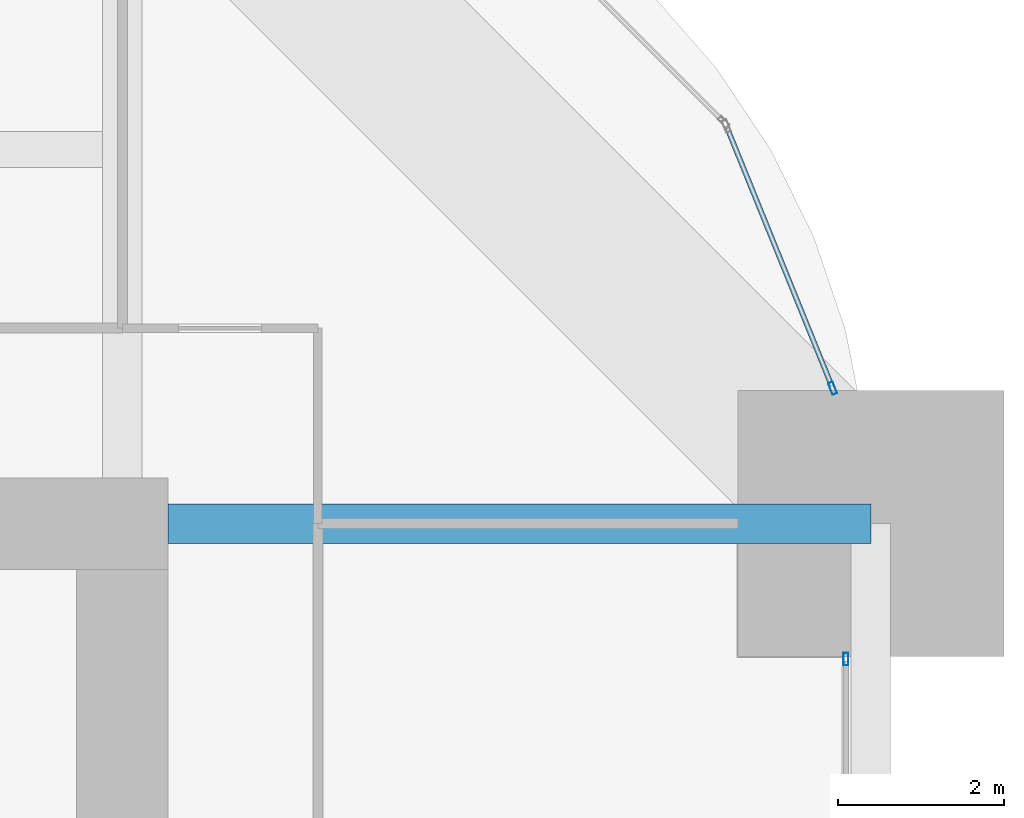
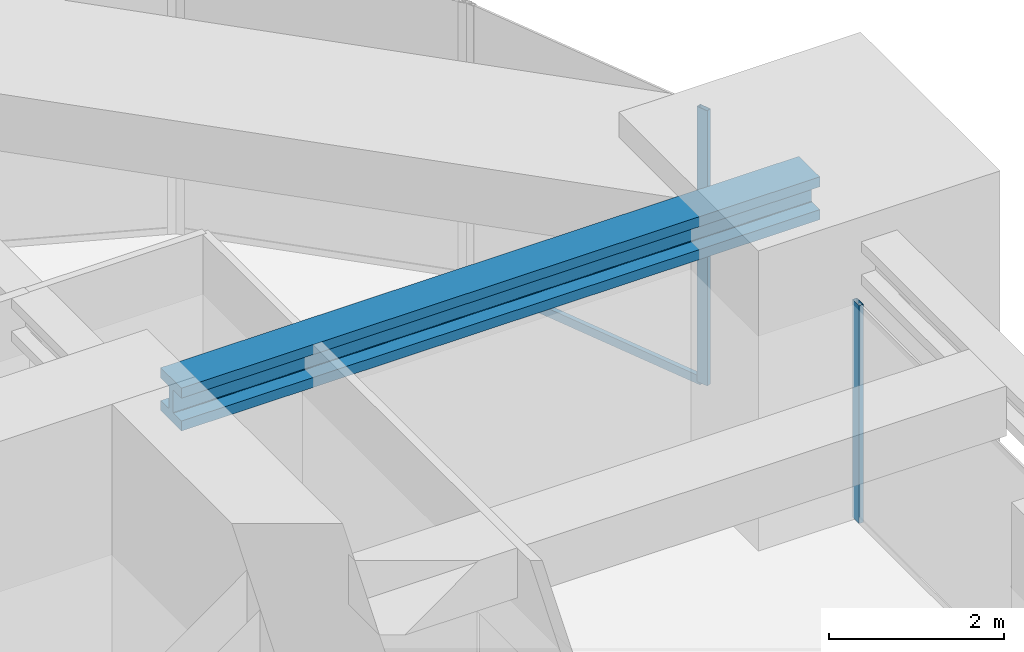
# One storey, part 32 of 39: 3 members, 1 beam, 2 elements without a shape of their own.
"""IFC4 building model written with IfcOpenShell, lengths in metres."""

from ifc_helpers import new_model, si_unit, direction, frame, origin, origin_2d, place, context, subcontext, project, spatial, hollow_rectangle, i_section, extrude, material, material_profile, profile_set, type_object, element, aggregate, save


model = new_model("IFC4")

# Units and contexts
model_context = context("Model", 3, precision=1e-05, world=origin(), true_north=direction((0.0, 1.0)))
body_context = subcontext(model_context, "Body", "Model", "MODEL_VIEW")
ifc_project = project(units=[si_unit("LENGTHUNIT", "METRE"), si_unit("AREAUNIT", "SQUARE_METRE"), si_unit("VOLUMEUNIT", "CUBIC_METRE"), si_unit("PLANEANGLEUNIT", "RADIAN"), si_unit("MASSUNIT", "GRAM", prefix="KILO")], contexts=[model_context])

# Site, building, storey
site_placement = place(None, origin())
site = spatial("IfcSite", under=ifc_project, at=site_placement, CompositionType="ELEMENT")
building_placement = place(site_placement, origin())
building = spatial("IfcBuilding", under=site, at=building_placement, Name="Zorevar Civic Tower", CompositionType="ELEMENT")
storey_placement = place(building_placement, frame((0.0, 0.0, 230.199951171875)))
storey = spatial("IfcBuildingStorey", under=building, at=storey_placement, Name="L56", CompositionType="ELEMENT", Elevation=230.199951171875)

# Curtain wall, member
ifc_material_1 = material(Name="Dark grey solar-control glass in black aluminium frame", Category="aluminium")
curtain_wall_type = type_object("IfcCurtainWallType", Name="Curtain wall CW4 high zone", PredefinedType="NOTDEFINED", material=ifc_material_1)
curtain_wall_1_placement = place(storey_placement, origin())
curtain_wall_1 = element("IfcCurtainWall", 1, at=curtain_wall_1_placement, inside=storey, type_object=curtain_wall_type, Name="CW4 L56", PredefinedType="NOTDEFINED")
ifc_material_2 = material(Name="Aluminium, black anodised", Category="aluminium")
ifc_material_profile_1 = material_profile(ifc_material_2, hollow_rectangle(XDim=0.06005859375, YDim=0.14990234375, WallThickness=0.00390625, at=origin_2d()), Name="AL 150x60x4")
ifc_profile_set_1 = profile_set([ifc_material_profile_1], Name="Aluminium, black anodised")
member_type_1 = type_object("IfcMemberType", Name="CW4 mullion AL 150x60x4", PredefinedType="MULLION", material=ifc_profile_set_1)
member_1_placement = place(storey_placement, frame((53.699951171875, 34.3701171875, 0.0), z_axis=(0.0, 0.0, 1.0), x_axis=(-1.0, 0.0, 0.0)))
member_1 = element("IfcMember", 2, at=member_1_placement, type_object=member_type_1, Name="CW4 mullion 2", PredefinedType="MULLION", context=body_context, shape_type="SweptSolid", body=[
    extrude(hollow_rectangle(XDim=0.06005859375, YDim=0.14990234375, WallThickness=0.00390625, at=origin_2d()), origin(), (0.0, 0.0, 1.0), 3.050048828125),
])
aggregate(curtain_wall_1, [member_1])

# Curtain wall, members
curtain_wall_2_placement = place(storey_placement, origin())
curtain_wall_2 = element("IfcCurtainWall", 3, at=curtain_wall_2_placement, inside=storey, type_object=curtain_wall_type, Name="CW4 L56", PredefinedType="NOTDEFINED")
member_2_placement = place(storey_placement, frame((53.540283203125, 37.627685546875, 0.0), z_axis=(0.0, 0.0, 1.0), x_axis=(-0.926761540227, -0.375650166453, 0.0)))
member_2 = element("IfcMember", 4, at=member_2_placement, type_object=member_type_1, Name="CW4 mullion 1", PredefinedType="MULLION", context=body_context, shape_type="SweptSolid", body=[
    extrude(hollow_rectangle(XDim=0.06005859375, YDim=0.14990234375, WallThickness=0.00390625, at=origin_2d()), origin(), (0.0, 0.0, 1.0), 3.85009765625),
])
ifc_material_3 = material(Name="Aluminium, black anodised", Category="aluminium")
ifc_material_profile_2 = material_profile(ifc_material_3, hollow_rectangle(XDim=0.06005859375, YDim=0.1201171875, WallThickness=0.0029296875, at=origin_2d()), Name="AL 120x60x3")
ifc_profile_set_2 = profile_set([ifc_material_profile_2], Name="Aluminium, black anodised")
member_type_2 = type_object("IfcMemberType", Name="CW4 transom AL 120x60x3", PredefinedType="USERDEFINED", material=ifc_profile_set_2)
member_3_placement = place(storey_placement, frame((53.529052734375, 37.655517578125, 0.030029296875), z_axis=(-0.375647407638, 0.92676265847, 0.0), x_axis=(-0.92676265847, -0.375647407638, 0.0)))
member_3 = element("IfcMember", 5, at=member_3_placement, type_object=member_type_2, Name="CW4 sill transom", ObjectType="TRANSOM", PredefinedType="USERDEFINED", context=body_context, shape_type="SweptSolid", body=[
    extrude(hollow_rectangle(XDim=0.06005859375, YDim=0.1201171875, WallThickness=0.0029296875, at=origin_2d()), origin(), (0.0, 0.0, 1.0), 3.33935546875),
])
aggregate(curtain_wall_2, [member_2, member_3])

# Beam
ifc_material_4 = material(Name="Steel S460M (HISTAR 460)", Category="steel")
ifc_material_profile_3 = material_profile(ifc_material_4, i_section(OverallWidth=0.47607421875, OverallDepth=0.60009765625, WebThickness=0.10009765625, FlangeThickness=0.139892578125, FilletRadius=0.014892578125, at=origin_2d()), Name="HD 400x1299")
ifc_profile_set_3 = profile_set([ifc_material_profile_3], Name="Steel S460M (HISTAR 460)")
beam_type = type_object("IfcBeamType", Name="Outrigger chord HD 400x1299", PredefinedType="BEAM", material=ifc_profile_set_3)
beam_placement = place(storey_placement, frame((45.550048828125, 36.0, 3.550048828125), z_axis=(1.0, 0.0, 0.0), x_axis=(0.0, 1.0, 0.0)))
element("IfcBeam", 6, at=beam_placement, inside=storey, type_object=beam_type, Name="Outrigger chord L57", PredefinedType="BEAM", context=body_context, shape_type="SweptSolid", body=[
    extrude(i_section(OverallWidth=0.47607421875, OverallDepth=0.60009765625, WebThickness=0.10009765625, FlangeThickness=0.139892578125, FilletRadius=0.014892578125, at=origin_2d()), origin(), (0.0, 0.0, 1.0), 8.449951171875),
])

save(model, "model.ifc")
